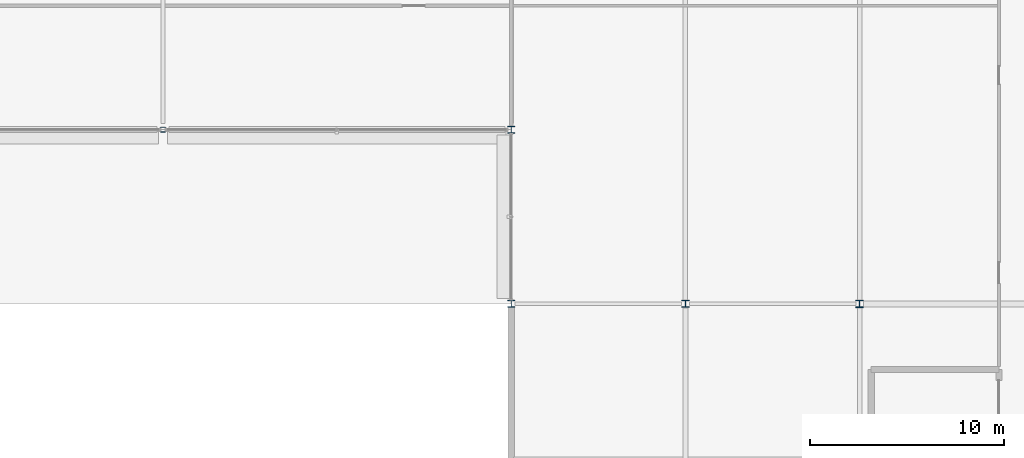
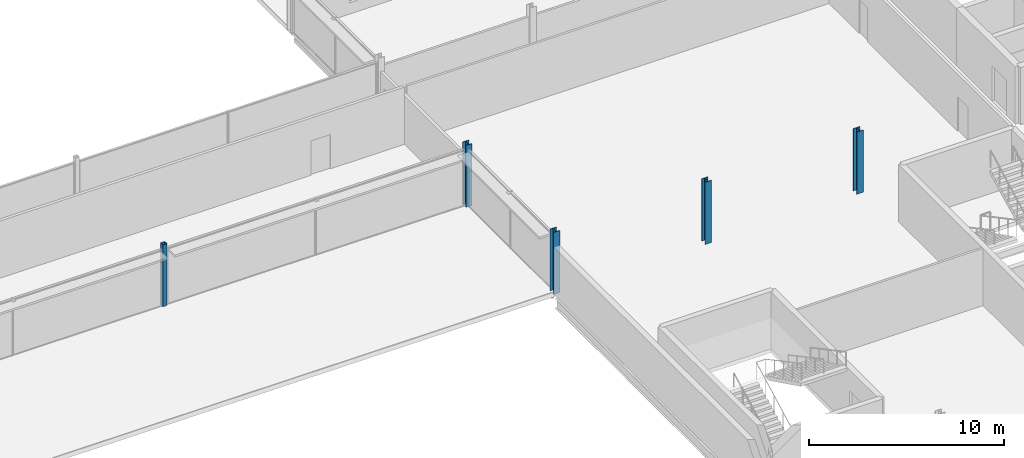
# One storey, part 14 of 105: 5 columns.
"""IFC4 building model written with IfcOpenShell, lengths in metres."""

from ifc_helpers import new_model, si_unit, direction, frame, origin, origin_2d, place, context, subcontext, project, spatial, hollow_rectangle, i_section, extrude, material, material_profile, profile_set, type_object, element, save


model = new_model("IFC4")

# Units and contexts
model_context = context("Model", 3, precision=1e-05, world=origin(), true_north=direction((0.0, 1.0)))
body_context = subcontext(model_context, "Body", "Model", "MODEL_VIEW")
ifc_project = project(units=[si_unit("LENGTHUNIT", "METRE"), si_unit("AREAUNIT", "SQUARE_METRE"), si_unit("VOLUMEUNIT", "CUBIC_METRE"), si_unit("PLANEANGLEUNIT", "RADIAN"), si_unit("MASSUNIT", "GRAM", prefix="KILO")], contexts=[model_context])

# Site, building, storey
site_placement = place(None, origin())
site = spatial("IfcSite", under=ifc_project, at=site_placement, CompositionType="ELEMENT")
building_placement = place(site_placement, origin())
building = spatial("IfcBuilding", under=site, at=building_placement, Name="Kisiwana Market Hall", CompositionType="ELEMENT")
storey_placement = place(building_placement, frame((0.0, 0.0, 21.60009765625)))
storey = spatial("IfcBuildingStorey", under=building, at=storey_placement, Name="L04", CompositionType="ELEMENT", Elevation=21.60009765625)

# Columns
ifc_material_1 = material(Name="Steel S355", Category="steel")
ifc_material_profile_1 = material_profile(ifc_material_1, hollow_rectangle(XDim=0.25, YDim=0.25, WallThickness=0.012451171875, at=origin_2d()), Name="SHS 250x250x12.5")
ifc_profile_set_1 = profile_set([ifc_material_profile_1], Name="Steel S355")
column_type_1 = type_object("IfcColumnType", Name="COL-STL-SHS250", PredefinedType="COLUMN", material=ifc_profile_set_1)
column_1_placement = place(storey_placement, frame((135.0, 93.0, 0.0), z_axis=(0.0, 0.0, 1.0), x_axis=(1.0, 0.0, 0.0)))
element("IfcColumn", 1, at=column_1_placement, inside=storey, type_object=column_type_1, Name="Column M/16 (L04) C-0841", PredefinedType="COLUMN", context=body_context, shape_type="SweptSolid", body=[
    extrude(hollow_rectangle(XDim=0.25, YDim=0.25, WallThickness=0.012451171875, at=origin_2d()), origin(), (0.0, 0.0, 1.0), 3.89990234375),
])
ifc_material_2 = material(Name="Steel S355", Category="steel")
ifc_material_profile_2 = material_profile(ifc_material_2, i_section(OverallWidth=0.37255859375, OverallDepth=0.3681640625, WebThickness=0.014404296875, FlangeThickness=0.023681640625, FilletRadius=0.01513671875, at=origin_2d()), Name="UC 356x368x177")
ifc_profile_set_2 = profile_set([ifc_material_profile_2], Name="Steel S355")
column_type_2 = type_object("IfcColumnType", Name="COL-STL-UC177", PredefinedType="COLUMN", material=ifc_profile_set_2)
for number, where, z_axis, x_axis, name in (
    (2, (153.0, 84.0, 0.0), (0.0, 0.0, 1.0), (1.0, 0.0, 0.0), "Column L/18 (L04) C-0848"),
    (3, (153.0, 93.0, 0.0), (0.0, 0.0, 1.0), (1.0, 0.0, 0.0), "Column M/18 (L04) C-0849"),
    (4, (162.0, 84.0, 0.0), (0.0, 0.0, 1.0), (1.0, 0.0, 0.0), "Column L/19 (L04) C-0855"),
):
    element("IfcColumn", number, at=place(storey_placement, frame(where, z_axis=z_axis, x_axis=x_axis)), inside=storey, type_object=column_type_2, Name=name, PredefinedType="COLUMN", context=body_context, shape_type="SweptSolid", body=[
        extrude(i_section(OverallWidth=0.37255859375, OverallDepth=0.3681640625, WebThickness=0.014404296875, FlangeThickness=0.023681640625, FilletRadius=0.01513671875, at=origin_2d()), origin(), (0.0, 0.0, 1.0), 3.89990234375),
    ])
ifc_material_3 = material(Name="Steel S355", Category="steel")
ifc_material_profile_3 = material_profile(ifc_material_3, i_section(OverallWidth=0.394775390625, OverallDepth=0.381103515625, WebThickness=0.018310546875, FlangeThickness=0.0302734375, at=origin_2d()), Name="UC 356x406x235")
ifc_profile_set_3 = profile_set([ifc_material_profile_3], Name="Steel S355")
column_type_3 = type_object("IfcColumnType", Name="COL-STL-UC235", PredefinedType="COLUMN", material=ifc_profile_set_3)
column_2_placement = place(storey_placement, frame((171.0, 84.0, 0.0), z_axis=(0.0, 0.0, 1.0), x_axis=(1.0, 0.0, 0.0)))
element("IfcColumn", 5, at=column_2_placement, inside=storey, type_object=column_type_3, Name="Column L/20 (L04) C-0862", PredefinedType="COLUMN", context=body_context, shape_type="SweptSolid", body=[
    extrude(i_section(OverallWidth=0.394775390625, OverallDepth=0.381103515625, WebThickness=0.018310546875, FlangeThickness=0.0302734375, at=origin_2d()), origin(), (0.0, 0.0, 1.0), 3.89990234375),
])

save(model, "model.ifc")
